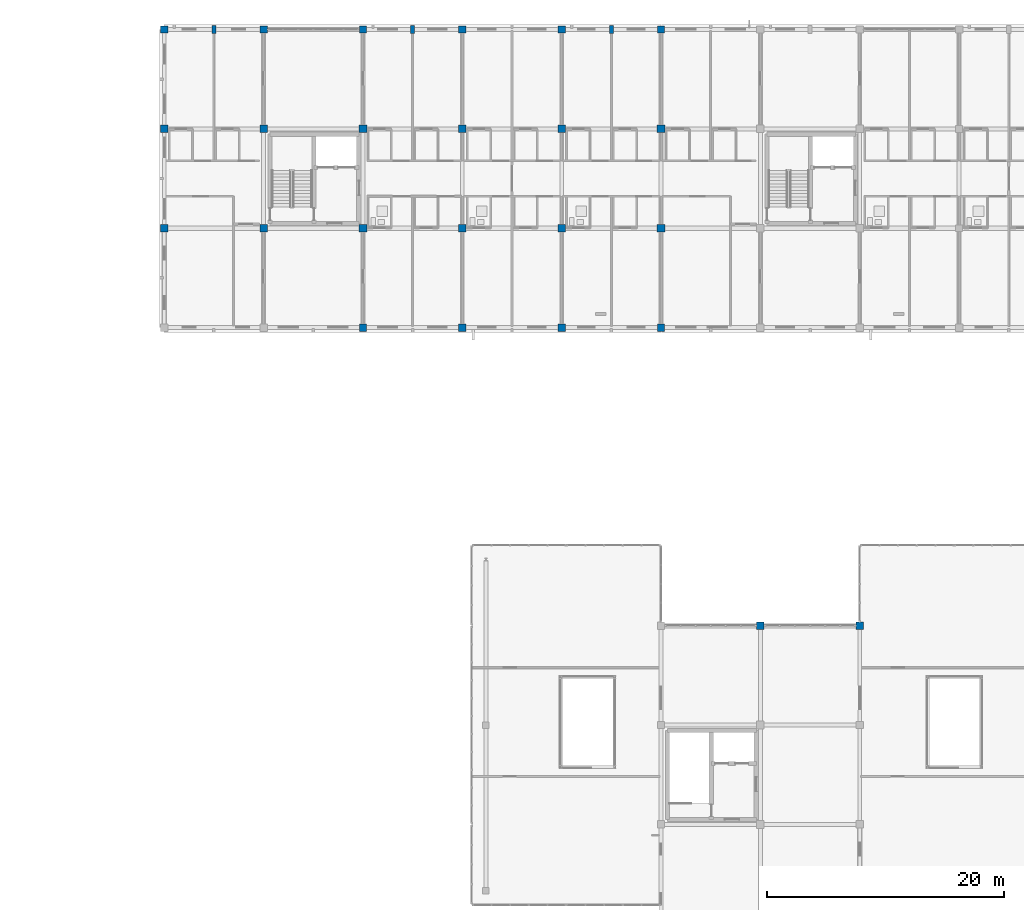
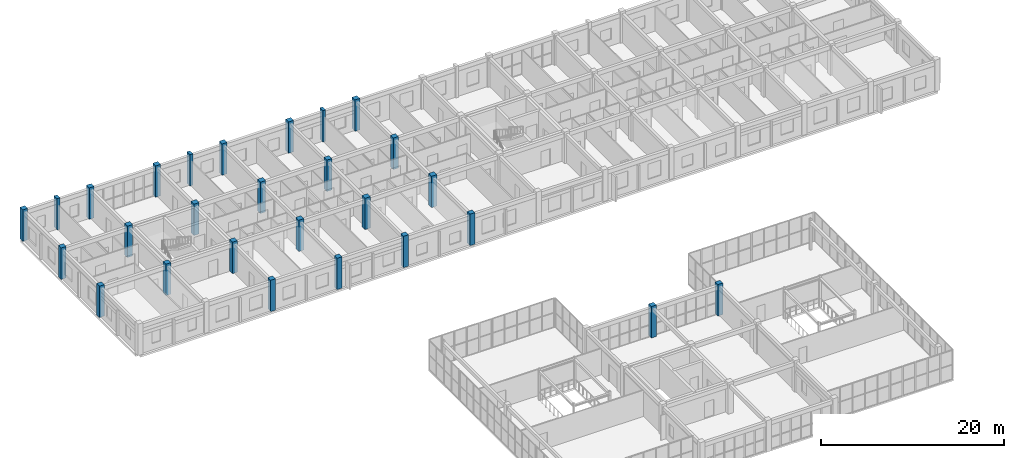
# One storey, part 7 of 81: 27 columns.
"""IFC4 building model written with IfcOpenShell, lengths in metres."""

import ifcopenshell
import ifcopenshell.guid

model = None  # the IFC model being written
_history = None  # IfcOwnerHistory: only IFC2X3 demands one
_inside = {}  # id of a spatial element -> (the spatial element, [elements in it])
_under = {}  # id of a project, library or spatial element -> (it, [spatial elements below it])
_declared = {}  # id of a project -> (the project, [libraries it declares])
_typed = {}  # id of a type object -> (the type object, [elements of that type])
_made_of = {}  # id of a material, layer set ... -> (it, [elements and type objects made of it])


def new_model(schema):
    """Start an empty IFC model of exactly this schema.

    Asked for "IFC4X3", IfcOpenShell would pick the latest addendum, in which some entities
    have other attributes; the version numbers below select the first issue.
    IFC2X3 requires an IfcOwnerHistory on every rooted entity: one is made here for all.
    """
    global model, _history
    if schema == "IFC4X3":
        model = ifcopenshell.file(schema_version=(4, 3, 0, 0))
    else:
        model = ifcopenshell.file(schema=schema)
    _inside.clear()
    _under.clear()
    _declared.clear()
    _typed.clear()
    _made_of.clear()
    _history = None
    if model.schema == "IFC2X3":
        org = make("IfcOrganization", Name="unknown")
        user = make(
            "IfcPersonAndOrganization",
            ThePerson=make("IfcPerson", FamilyName="unknown"),
            TheOrganization=org,
        )
        app = make(
            "IfcApplication",
            ApplicationDeveloper=org,
            Version="unknown",
            ApplicationFullName="unknown",
            ApplicationIdentifier="unknown",
        )
        _history = make(
            "IfcOwnerHistory",
            OwningUser=user,
            OwningApplication=app,
            ChangeAction="ADDED",
            CreationDate=0,
        )
    return model


def make(cls, **values):
    """One entity of the class cls with the attributes given. An attribute that is None is left unset."""
    return model.create_entity(
        cls, **{name: value for name, value in values.items() if value is not None}
    )


def rooted(cls, **values):
    """An entity with a GlobalId (a new one), such as an element, a storey or a relation."""
    return make(cls, GlobalId=ifcopenshell.guid.new(), OwnerHistory=_history, **values)


def si_unit(unit_type, name, prefix=None):
    """IfcSIUnit, for example si_unit("LENGTHUNIT", "METRE", prefix="MILLI")."""
    return make("IfcSIUnit", UnitType=unit_type, Prefix=prefix, Name=name)


def assignment(units):
    """IfcUnitAssignment: the units of a project."""
    return None if units is None else make("IfcUnitAssignment", Units=units)


def point(xyz):
    """IfcCartesianPoint."""
    return None if xyz is None else make("IfcCartesianPoint", Coordinates=xyz)


def direction(xyz):
    """IfcDirection."""
    return None if xyz is None else make("IfcDirection", DirectionRatios=xyz)


def frame(location, z_axis=None, x_axis=None):
    """IfcAxis2Placement3D, a coordinate frame: its origin and axes. An axis left out is left unset."""
    return make(
        "IfcAxis2Placement3D",
        Location=point(location),
        Axis=direction(z_axis),
        RefDirection=direction(x_axis),
    )


def frame_2d(location, x_axis=None):
    """IfcAxis2Placement2D, a coordinate frame in the plane: its origin and x axis."""
    return make(
        "IfcAxis2Placement2D", Location=point(location), RefDirection=direction(x_axis)
    )


def origin():
    """The frame at (0, 0, 0) with its axes left unset."""
    return frame((0.0, 0.0, 0.0))


def origin_2d():
    """The frame at (0, 0) in the plane with its x axis left unset."""
    return frame_2d((0.0, 0.0))


def place(relative_to, where):
    """IfcLocalPlacement: puts the frame where relative to a parent placement (None: the world)."""
    return make(
        "IfcLocalPlacement", PlacementRelTo=relative_to, RelativePlacement=where
    )


def context(
    kind, dimensions, precision=None, world=None, true_north=None, identifier=None
):
    """IfcGeometricRepresentationContext, for example the 3D "Model" context."""
    return make(
        "IfcGeometricRepresentationContext",
        ContextIdentifier=identifier,
        ContextType=kind,
        CoordinateSpaceDimension=dimensions,
        Precision=precision,
        WorldCoordinateSystem=world,
        TrueNorth=true_north,
    )


def subcontext(parent, identifier, kind, view, scale=None):
    """IfcGeometricRepresentationSubContext, for example "Body" below "Model"."""
    return make(
        "IfcGeometricRepresentationSubContext",
        ContextIdentifier=identifier,
        ContextType=kind,
        ParentContext=parent,
        TargetScale=scale,
        TargetView=view,
    )


def project(units=None, contexts=None):
    """IfcProject with its units and contexts."""
    return rooted(
        "IfcProject",
        Name="project",
        RepresentationContexts=contexts,
        UnitsInContext=assignment(units),
    )


def spatial(cls, under=None, at=None, **own):
    """A site, building, storey or space (cls), placed at a placement, below another one or the project."""
    s = rooted(cls, ObjectPlacement=at, **own)
    if under is not None:
        _under.setdefault(under.id(), (under, []))[1].append(s)
    return s


def profile(cls, at=None, kind="AREA", **sizes):
    """A parametric profile (cls). Its sizes go by their IFC names, for example OverallWidth=200.0."""
    return make(cls, ProfileType=kind, Position=at, **sizes)


def rectangle(**sizes):
    """IfcRectangleProfileDef."""
    return profile("IfcRectangleProfileDef", **sizes)


def extrude(swept, where, along, depth):
    """IfcExtrudedAreaSolid: the profile swept, set in the frame where, extruded along a direction by depth."""
    return make(
        "IfcExtrudedAreaSolid",
        SweptArea=swept,
        Position=where,
        ExtrudedDirection=direction(along),
        Depth=depth,
    )


def shape(context_of_items, identifier, shape_type, items):
    """IfcShapeRepresentation: the items that make up one representation, for example the "Body"."""
    return make(
        "IfcShapeRepresentation",
        ContextOfItems=context_of_items,
        RepresentationIdentifier=identifier,
        RepresentationType=shape_type,
        Items=items,
    )


def material(Name=None, Category=None):
    """IfcMaterial."""
    return make("IfcMaterial", Name=Name, Category=Category)


def material_profile(
    of_material, cross_section, Name=None, Category=None, Priority=None
):
    """IfcMaterialProfile: a cross section and its material."""
    return make(
        "IfcMaterialProfile",
        Name=Name,
        Material=of_material,
        Profile=cross_section,
        Priority=Priority,
        Category=Category,
    )


def profile_set(profiles, Name=None, composite=None):
    """IfcMaterialProfileSet."""
    return make(
        "IfcMaterialProfileSet",
        Name=Name,
        MaterialProfiles=profiles,
        CompositeProfile=composite,
    )


def made_of(thing, what):
    """Note that an element or type object is made of a material, layer set ...; save() writes the relation."""
    if what is not None:
        _made_of.setdefault(what.id(), (what, []))[1].append(thing)
    return thing


def type_object(cls, material=None, **own):
    """A type object (cls), such as IfcWallType, which elements share."""
    return made_of(rooted(cls, **own), material)


def element(
    cls,
    number,
    at=None,
    inside=None,
    cuts=None,
    type_object=None,
    material=None,
    context=None,
    identifier="Body",
    shape_type=None,
    held_by="IfcProductDefinitionShape",
    body=None,
    shapes=None,
    **own,
):
    """One element of the class cls, such as IfcWall. Its Tag is "e" and its number.

    at: its placement. inside: the storey or other place that contains it. cuts: it is an
    opening in that element (IfcRelVoidsElement). A single representation is given by context,
    identifier, shape_type and body (its items); several are given by shapes. held_by: the class
    of the entity that holds the representations. save() writes the other relations.
    """
    e = rooted(cls, Tag="e%d" % number, ObjectPlacement=at, **own)
    if body is not None:
        shapes = [shape(context, identifier, shape_type, body)]
    if shapes is not None:
        e.Representation = make(held_by, Representations=shapes)
    if inside is not None:
        _inside.setdefault(inside.id(), (inside, []))[1].append(e)
    if cuts is not None:
        rooted(
            "IfcRelVoidsElement", RelatingBuildingElement=cuts, RelatedOpeningElement=e
        )
    if type_object is not None:
        _typed.setdefault(type_object.id(), (type_object, []))[1].append(e)
    return made_of(e, material)


def aggregate(whole, parts):
    """IfcRelAggregates: a whole, such as a stair, and the parts it consists of."""
    return rooted("IfcRelAggregates", RelatingObject=whole, RelatedObjects=parts)


def save(model, path):
    """Write the relations noted so far, then the file.

    IfcRelAggregates (storeys below a building ...), IfcRelContainedInSpatialStructure (elements
    in a storey), IfcRelDefinesByType, IfcRelAssociatesMaterial and IfcRelDeclares: one each for
    every whole, place, type object, material and project.
    """
    for whole, parts in _under.values():
        aggregate(whole, parts)
    for where, things in _inside.values():
        rooted(
            "IfcRelContainedInSpatialStructure",
            RelatedElements=things,
            RelatingStructure=where,
        )
    for kind, things in _typed.values():
        rooted("IfcRelDefinesByType", RelatedObjects=things, RelatingType=kind)
    for what, things in _made_of.values():
        rooted("IfcRelAssociatesMaterial", RelatedObjects=things, RelatingMaterial=what)
    for by, libraries in _declared.values():
        rooted("IfcRelDeclares", RelatingContext=by, RelatedDefinitions=libraries)
    model.write(path)


model = new_model("IFC4")

# Units and contexts
model_context = context("Model", 3, precision=1e-05, world=origin(), true_north=direction((0.0, 1.0)))
body_context = subcontext(model_context, "Body", "Model", "MODEL_VIEW")
ifc_project = project(units=[si_unit("LENGTHUNIT", "METRE"), si_unit("AREAUNIT", "SQUARE_METRE"), si_unit("VOLUMEUNIT", "CUBIC_METRE"), si_unit("PLANEANGLEUNIT", "RADIAN"), si_unit("MASSUNIT", "GRAM", prefix="KILO")], contexts=[model_context])

# Site, building, storey
site_placement = place(None, origin())
site = spatial("IfcSite", under=ifc_project, at=site_placement, CompositionType="ELEMENT")
building_placement = place(site_placement, origin())
building = spatial("IfcBuilding", under=site, at=building_placement, Name="Trelvath General Hospital", CompositionType="ELEMENT")
storey_placement = place(building_placement, frame((0.0, 0.0, 24.60009765625)))
storey = spatial("IfcBuildingStorey", under=building, at=storey_placement, Name="L06", CompositionType="ELEMENT", Elevation=24.60009765625)

# Columns
ifc_material_1 = material(Name="Concrete C40/50", Category="concrete")
ifc_material_profile_1 = material_profile(ifc_material_1, rectangle(XDim=0.6201171875, YDim=0.6201171875, at=origin_2d()), Name="RC620x620")
ifc_profile_set_1 = profile_set([ifc_material_profile_1], Name="Concrete C40/50")
column_type_1 = type_object("IfcColumnType", Name="Column RC620", PredefinedType="COLUMN", material=ifc_profile_set_1)
for number, where, z_axis, x_axis, name in (
    (1, (33.60009765625, 100.800048828125, 0.0), (0.0, 0.0, 1.0), (1.0, 0.0, 0.0), "Column C-5M L06"),
    (2, (33.60009765625, 109.199951171875, 0.0), (0.0, 0.0, 1.0), (1.0, 0.0, 0.0), "Column C-5N L06"),
    (3, (33.60009765625, 117.60009765625, 0.0), (0.0, 0.0, 1.0), (1.0, 0.0, 0.0), "Column C-5O L06"),
    (4, (42.0, 117.60009765625, 0.0), (0.0, 0.0, 1.0), (1.0, 0.0, 0.0), "Column C-6O L06"),
    (5, (50.39990234375, 92.39990234375, 0.0), (0.0, 0.0, 1.0), (1.0, 0.0, 0.0), "Column C-7L L06"),
    (6, (50.39990234375, 117.60009765625, 0.0), (0.0, 0.0, 1.0), (1.0, 0.0, 0.0), "Column C-7O L06"),
    (7, (58.800048828125, 92.39990234375, 0.0), (0.0, 0.0, 1.0), (1.0, 0.0, 0.0), "Column C-8L L06"),
    (8, (58.800048828125, 117.60009765625, 0.0), (0.0, 0.0, 1.0), (1.0, 0.0, 0.0), "Column C-8O L06"),
    (9, (67.199951171875, 92.39990234375, 0.0), (0.0, 0.0, 1.0), (1.0, 0.0, 0.0), "Column C-9L L06"),
    (10, (67.199951171875, 117.60009765625, 0.0), (0.0, 0.0, 1.0), (1.0, 0.0, 0.0), "Column C-9O L06"),
    (11, (75.60009765625, 92.39990234375, 0.0), (0.0, 0.0, 1.0), (1.0, 0.0, 0.0), "Column C-10L L06"),
    (12, (75.60009765625, 117.60009765625, 0.0), (0.0, 0.0, 1.0), (1.0, 0.0, 0.0), "Column C-10O L06"),
    (13, (84.0, 67.199951171875, 0.0), (0.0, 0.0, 1.0), (1.0, 0.0, 0.0), "Column C-11I L06"),
    (14, (92.39990234375, 67.199951171875, 0.0), (0.0, 0.0, 1.0), (1.0, 0.0, 0.0), "Column C-12I L06"),
):
    element("IfcColumn", number, at=place(storey_placement, frame(where, z_axis=z_axis, x_axis=x_axis)), inside=storey, type_object=column_type_1, Name=name, PredefinedType="COLUMN", context=body_context, shape_type="SweptSolid", body=[
        extrude(rectangle(XDim=0.6201171875, YDim=0.6201171875, at=origin_2d()), origin(), (0.0, 0.0, 1.0), 4.199951171875),
    ])
ifc_material_2 = material(Name="Concrete C40/50", Category="concrete")
ifc_material_profile_2 = material_profile(ifc_material_2, rectangle(XDim=0.64990234375, YDim=0.64990234375, at=origin_2d()), Name="RC650x650")
ifc_profile_set_2 = profile_set([ifc_material_profile_2], Name="Concrete C40/50")
column_type_2 = type_object("IfcColumnType", Name="Column RC650", PredefinedType="COLUMN", material=ifc_profile_set_2)
for number, where, z_axis, x_axis, name in (
    (15, (42.0, 100.800048828125, 0.0), (0.0, 0.0, 1.0), (1.0, 0.0, 0.0), "Column C-6M L06"),
    (16, (42.0, 109.199951171875, 0.0), (0.0, 0.0, 1.0), (1.0, 0.0, 0.0), "Column C-6N L06"),
    (17, (50.39990234375, 100.800048828125, 0.0), (0.0, 0.0, 1.0), (1.0, 0.0, 0.0), "Column C-7M L06"),
    (18, (50.39990234375, 109.199951171875, 0.0), (0.0, 0.0, 1.0), (1.0, 0.0, 0.0), "Column C-7N L06"),
    (19, (58.800048828125, 100.800048828125, 0.0), (0.0, 0.0, 1.0), (1.0, 0.0, 0.0), "Column C-8M L06"),
    (20, (58.800048828125, 109.199951171875, 0.0), (0.0, 0.0, 1.0), (1.0, 0.0, 0.0), "Column C-8N L06"),
    (21, (67.199951171875, 100.800048828125, 0.0), (0.0, 0.0, 1.0), (1.0, 0.0, 0.0), "Column C-9M L06"),
    (22, (67.199951171875, 109.199951171875, 0.0), (0.0, 0.0, 1.0), (1.0, 0.0, 0.0), "Column C-9N L06"),
    (23, (75.60009765625, 100.800048828125, 0.0), (0.0, 0.0, 1.0), (1.0, 0.0, 0.0), "Column C-10M L06"),
    (24, (75.60009765625, 109.199951171875, 0.0), (0.0, 0.0, 1.0), (1.0, 0.0, 0.0), "Column C-10N L06"),
):
    element("IfcColumn", number, at=place(storey_placement, frame(where, z_axis=z_axis, x_axis=x_axis)), inside=storey, type_object=column_type_2, Name=name, PredefinedType="COLUMN", context=body_context, shape_type="SweptSolid", body=[
        extrude(rectangle(XDim=0.64990234375, YDim=0.64990234375, at=origin_2d()), origin(), (0.0, 0.0, 1.0), 4.199951171875),
    ])
ifc_material_3 = material(Name="Concrete C40/50", Category="concrete")
ifc_material_profile_3 = material_profile(ifc_material_3, rectangle(XDim=0.35009765625, YDim=0.64990234375, at=origin_2d()), Name="RC350x650")
ifc_profile_set_3 = profile_set([ifc_material_profile_3], Name="Concrete C40/50")
column_type_3 = type_object("IfcColumnType", Name="Pilaster RC350x650", PredefinedType="PILASTER", material=ifc_profile_set_3)
for number, where, z_axis, x_axis, name in (
    (25, (37.800048828125, 117.60009765625, 0.0), (0.0, 0.0, 1.0), (1.0, 0.0, 0.0), "Facade Pilaster PL-N04 L06"),
    (26, (54.60009765625, 117.60009765625, 0.0), (0.0, 0.0, 1.0), (1.0, 0.0, 0.0), "Facade Pilaster PL-N06 L06"),
    (27, (71.39990234375, 117.60009765625, 0.0), (0.0, 0.0, 1.0), (1.0, 0.0, 0.0), "Facade Pilaster PL-N08 L06"),
):
    element("IfcColumn", number, at=place(storey_placement, frame(where, z_axis=z_axis, x_axis=x_axis)), inside=storey, type_object=column_type_3, Name=name, PredefinedType="PILASTER", context=body_context, shape_type="SweptSolid", body=[
        extrude(rectangle(XDim=0.35009765625, YDim=0.64990234375, at=origin_2d()), origin(), (0.0, 0.0, 1.0), 4.199951171875),
    ])

save(model, "model.ifc")
